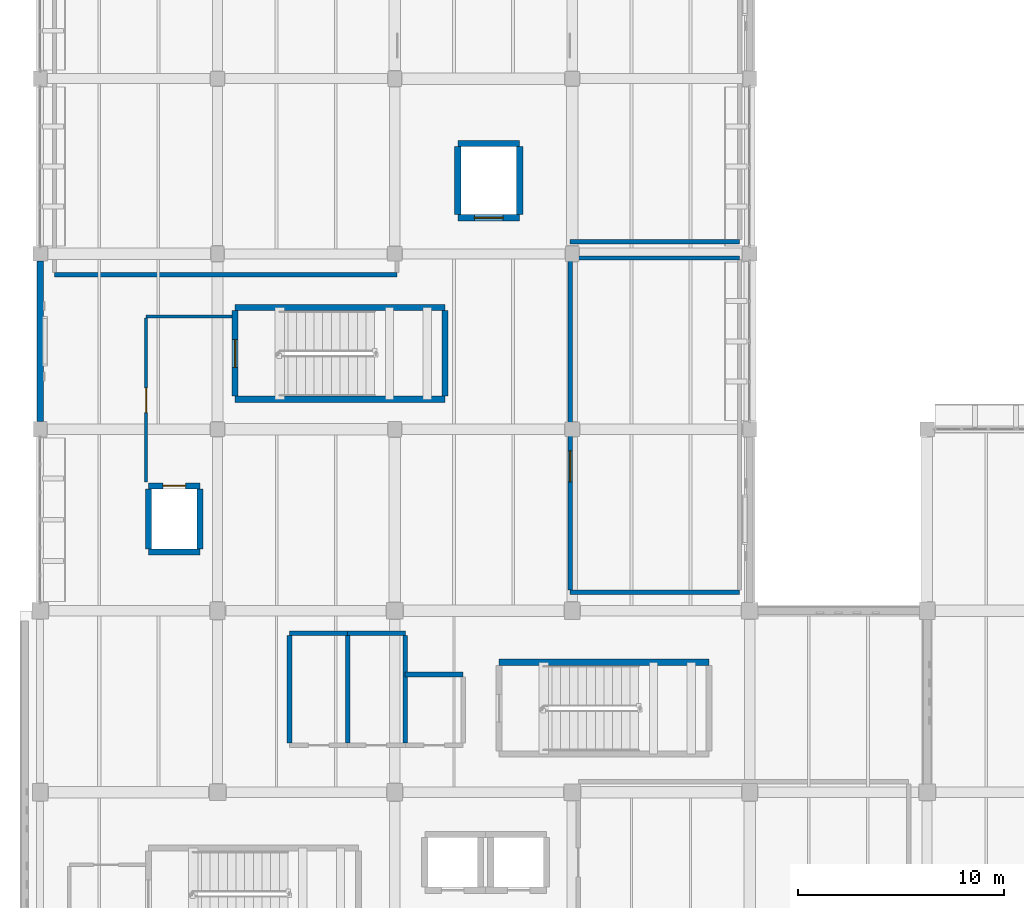
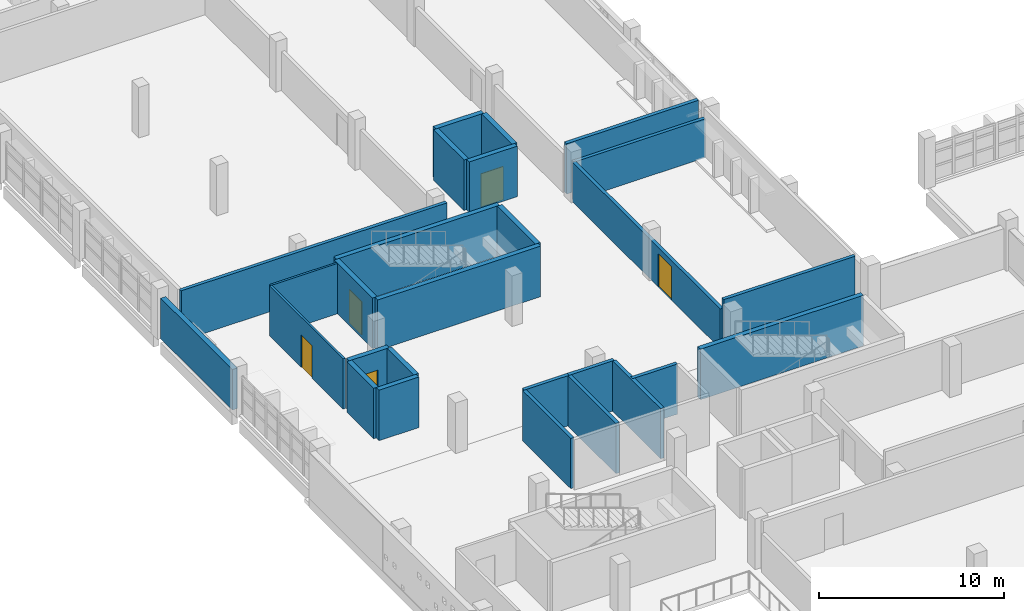
# One storey, part 59 of 75: 27 walls, 5 doors, 5 openings.
"""IFC4 building model written with IfcOpenShell, lengths in metres."""

from ifc_helpers import new_model, si_unit, direction, frame, frame_2d, origin, place, context, subcontext, project, spatial, rectangle, extrude, material, layer, layer_set, type_object, element, fill, save


model = new_model("IFC4")

# Units and contexts
model_context = context("Model", 3, precision=1e-05, world=origin(), true_north=direction((0.0, 1.0)))
body_context = subcontext(model_context, "Body", "Model", "MODEL_VIEW")
ifc_project = project(units=[si_unit("LENGTHUNIT", "METRE"), si_unit("AREAUNIT", "SQUARE_METRE"), si_unit("VOLUMEUNIT", "CUBIC_METRE"), si_unit("PLANEANGLEUNIT", "RADIAN"), si_unit("MASSUNIT", "GRAM", prefix="KILO")], contexts=[model_context])

# Site, building, storey
site_placement = place(None, origin())
site = spatial("IfcSite", under=ifc_project, at=site_placement, CompositionType="ELEMENT")
building_placement = place(site_placement, origin())
building = spatial("IfcBuilding", under=site, at=building_placement, Name="Varnakota Cinema and Media Centre", CompositionType="ELEMENT")
storey_placement = place(building_placement, frame((0.0, 0.0, 8.39990234375)))
storey = spatial("IfcBuildingStorey", under=building, at=storey_placement, Name="L02", CompositionType="ELEMENT", Elevation=8.39990234375)

# Wall
ifc_material_1 = material(Name="Autoclaved aerated concrete blockwork", Category="masonry")
ifc_layer_1 = layer(ifc_material_1, 0.2099609375)
ifc_layer_set_1 = layer_set([ifc_layer_1], Name="Autoclaved aerated concrete blockwork")
wall_type_1 = type_object("IfcWallType", Name="W-ACOUST-210", PredefinedType="PARTITIONING", material=ifc_layer_set_1)
wall_1_placement = place(storey_placement, frame((33.905029296875, 36.094970703125, 0.0), z_axis=(0.0, 0.0, 1.0), x_axis=(-1.0, 0.0, 0.0)))
element("IfcWall", 1, at=wall_1_placement, inside=storey, type_object=wall_type_1, Name="L02 RWALL-RM-L02-NEWS1 S wall", PredefinedType="PARTITIONING", context=body_context, shape_type="SweptSolid", body=[
    extrude(rectangle(XDim=8.2099609375, YDim=0.2099609375, at=frame_2d((4.10498046875, 0.0))), origin(), (0.0, 0.0, 1.0), 3.320068359375),
])

# Wall, opening, door
wall_2_placement = place(storey_placement, frame((25.695068359375, 36.199951171875, 0.0), z_axis=(0.0, 0.0, 1.0), x_axis=(0.0, 1.0, 0.0)))
wall_2 = element("IfcWall", 2, at=wall_2_placement, inside=storey, type_object=wall_type_1, Name="L02 RWALL-RM-L02-NEWS1 W wall", PredefinedType="PARTITIONING", context=body_context, shape_type="SweptSolid", body=[
    extrude(rectangle(XDim=16.0, YDim=0.2099609375, at=frame_2d((8.0, 0.0))), origin(), (0.0, 0.0, 1.0), 2.6201171875),
])
opening_1_placement = place(wall_2_placement, frame((5.25, 0.0, 0.0)))
opening_1 = element("IfcOpeningElement", 3, at=opening_1_placement, cuts=wall_2, Name="Opening D-082", PredefinedType="OPENING", context=body_context, shape_type="SweptSolid", body=[
    extrude(rectangle(XDim=1.5, YDim=2.199951171875, at=frame_2d((0.75, 1.10009765625))), frame((0.0, 0.10498046875, 0.0), z_axis=(0.0, -1.0, 0.0), x_axis=(1.0, 0.0, 0.0)), (0.0, 0.0, 1.0), 0.2099609375),
])
ifc_material_2 = material(Name="Thermally broken anodised aluminium AW-6063", Category="aluminium")
door_type_1 = type_object("IfcDoorType", Name="DR-STD-1500x2200", OperationType="DOUBLE_DOOR_SINGLE_SWING", PredefinedType="DOOR", material=ifc_material_2)
door_1_placement = place(opening_1_placement, origin())
door_1 = element("IfcDoor", 4, at=door_1_placement, inside=storey, type_object=door_type_1, Name="L02 door D-082", OperationType="DOUBLE_DOOR_SINGLE_SWING", OverallHeight=2.199951171875, OverallWidth=1.5, PredefinedType="DOOR", context=body_context, shape_type="SweptSolid", body=[
    extrude(rectangle(XDim=1.5, YDim=2.199951171875, at=frame_2d((0.75, 1.10009765625))), frame((0.0, 0.02490234375, 0.0), z_axis=(0.0, -1.0, 0.0), x_axis=(1.0, 0.0, 0.0)), (0.0, 0.0, 1.0), 0.050048828125),
])
fill(opening_1, door_1)

# Walls
wall_3_placement = place(storey_placement, frame((25.695068359375, 52.304931640625, 0.0), z_axis=(0.0, 0.0, 1.0), x_axis=(1.0, 0.0, 0.0)))
element("IfcWall", 5, at=wall_3_placement, inside=storey, type_object=wall_type_1, Name="L02 RWALL-RM-L02-NEWS1 N wall", PredefinedType="PARTITIONING", context=body_context, shape_type="SweptSolid", body=[
    extrude(rectangle(XDim=8.2099609375, YDim=0.2099609375, at=frame_2d((4.10498046875, 0.0))), origin(), (0.0, 0.0, 1.0), 2.570068359375),
])
wall_4_placement = place(storey_placement, frame((17.304931640625, 51.4951171875, 0.0), z_axis=(0.0, 0.0, 1.0), x_axis=(-1.0, 0.0, 0.0)))
element("IfcWall", 6, at=wall_4_placement, inside=storey, type_object=wall_type_1, Name="L02 RWALL-RM-L02-RADIO S wall", PredefinedType="PARTITIONING", context=body_context, shape_type="SweptSolid", body=[
    extrude(rectangle(XDim=16.60986328125, YDim=0.2099609375, at=frame_2d((8.304931640625, 0.0))), origin(), (0.0, 0.0, 1.0), 3.320068359375),
])
ifc_material_3 = material(Name="Autoclaved aerated concrete blockwork", Category="masonry")
ifc_layer_2 = layer(ifc_material_3, 0.22998046875)
ifc_layer_set_2 = layer_set([ifc_layer_2], Name="Autoclaved aerated concrete blockwork")
wall_type_2 = type_object("IfcWallType", Name="W-BOX-230", PredefinedType="PARTITIONING", material=ifc_layer_set_2)
wall_5_placement = place(storey_placement, frame((33.9150390625, 53.0849609375, 0.0), z_axis=(0.0, 0.0, 1.0), x_axis=(-1.0, 0.0, 0.0)))
element("IfcWall", 7, at=wall_5_placement, inside=storey, type_object=wall_type_2, Name="L02 RWALL-RM-L02-POD2 S wall", PredefinedType="PARTITIONING", context=body_context, shape_type="SweptSolid", body=[
    extrude(rectangle(XDim=8.22998046875, YDim=0.22998046875, at=frame_2d((4.114990234375, 0.0))), origin(), (0.0, 0.0, 1.0), 3.320068359375),
])
ifc_material_4 = material(Name="Concrete M40", Category="concrete")
ifc_layer_3 = layer(ifc_material_4, 0.300048828125)
ifc_layer_set_3 = layer_set([ifc_layer_3], Name="Concrete M40")
wall_type_3 = type_object("IfcWallType", Name="W-CORE-300", PredefinedType="SHEAR", material=ifc_layer_set_3)
for number, where, z_axis, x_axis, name in (
    (8, (22.25, 32.699951171875, 0.0), (0.0, 0.0, 1.0), (1.0, 0.0, 0.0), "L02 CWALL-ST-02-L02 N wall"),
    (9, (19.6298828125, 45.449951171875, 0.0), (0.0, 0.0, 1.0), (-1.0, 0.0, 0.0), "L02 CWALL-ST-03-L02 S wall"),
):
    element("IfcWall", number, at=place(storey_placement, frame(where, z_axis=z_axis, x_axis=x_axis)), inside=storey, type_object=wall_type_3, Name=name, PredefinedType="SHEAR", context=body_context, shape_type="SweptSolid", body=[
        extrude(rectangle(XDim=10.179931640625, YDim=0.300048828125, at=frame_2d((5.08984375, 0.0))), origin(), (0.0, 0.0, 1.0), 3.340087890625),
    ])

# Wall, opening, door
wall_6_placement = place(storey_placement, frame((9.449951171875, 45.60009765625, 0.0), z_axis=(0.0, 0.0, 1.0), x_axis=(0.0, 1.0, 0.0)))
wall_6 = element("IfcWall", 10, at=wall_6_placement, inside=storey, type_object=wall_type_3, Name="L02 CWALL-ST-03-L02 W wall", PredefinedType="SHEAR", context=body_context, shape_type="SweptSolid", body=[
    extrude(rectangle(XDim=4.14990234375, YDim=0.300048828125, at=frame_2d((2.074951171875, 0.0))), origin(), (0.0, 0.0, 1.0), 3.340087890625),
])
opening_2_placement = place(wall_6_placement, frame((1.39990234375, 0.0, 0.0)))
opening_2 = element("IfcOpeningElement", 11, at=opening_2_placement, cuts=wall_6, Name="Opening SD-03", PredefinedType="OPENING", context=body_context, shape_type="SweptSolid", body=[
    extrude(rectangle(XDim=1.35009765625, YDim=2.199951171875, at=frame_2d((0.675048828125, 1.10009765625))), frame((0.0, 0.14990234375, 0.0), z_axis=(0.0, -1.0, 0.0), x_axis=(1.0, 0.0, 0.0)), (0.0, 0.0, 1.0), 0.300048828125),
])
ifc_material_5 = material(Name="Thermally broken anodised aluminium AW-6063", Category="aluminium")
door_type_2 = type_object("IfcDoorType", Name="DR-STAIR-1350x2200", OperationType="NOTDEFINED", PredefinedType="DOOR", material=ifc_material_5)
door_2_placement = place(opening_2_placement, origin())
door_2 = element("IfcDoor", 12, at=door_2_placement, inside=storey, type_object=door_type_2, Name="L02 door SD-03", OperationType="SINGLE_SWING_LEFT", OverallHeight=2.199951171875, OverallWidth=1.35009765625, PredefinedType="DOOR", context=body_context, shape_type="SweptSolid", body=[
    extrude(rectangle(XDim=1.35009765625, YDim=2.199951171875, at=frame_2d((0.675048828125, 1.10009765625))), frame((0.0, 0.02490234375, 0.0), z_axis=(0.0, -1.0, 0.0), x_axis=(1.0, 0.0, 0.0)), (0.0, 0.0, 1.0), 0.050048828125),
])
fill(opening_2, door_2)

# Walls
wall_7_placement = place(storey_placement, frame((9.449951171875, 49.89990234375, 0.0), z_axis=(0.0, 0.0, 1.0), x_axis=(1.0, 0.0, 0.0)))
element("IfcWall", 13, at=wall_7_placement, inside=storey, type_object=wall_type_3, Name="L02 CWALL-ST-03-L02 N wall", PredefinedType="SHEAR", context=body_context, shape_type="SweptSolid", body=[
    extrude(rectangle(XDim=10.179931640625, YDim=0.300048828125, at=frame_2d((5.08984375, 0.0))), origin(), (0.0, 0.0, 1.0), 3.340087890625),
])
wall_8_placement = place(storey_placement, frame((19.6298828125, 49.75, 0.0), z_axis=(0.0, 0.0, 1.0), x_axis=(0.0, -1.0, 0.0)))
element("IfcWall", 14, at=wall_8_placement, inside=storey, type_object=wall_type_3, Name="L02 CWALL-ST-03-L02 E wall", PredefinedType="SHEAR", context=body_context, shape_type="SweptSolid", body=[
    extrude(rectangle(XDim=4.14990234375, YDim=0.300048828125, at=frame_2d((2.074951171875, 0.0))), origin(), (0.0, 0.0, 1.0), 3.340087890625),
])
wall_9_placement = place(storey_placement, frame((7.75, 38.050048828125, 0.0), z_axis=(0.0, 0.0, 1.0), x_axis=(-1.0, 0.0, 0.0)))
element("IfcWall", 15, at=wall_9_placement, inside=storey, type_object=wall_type_3, Name="L02 LSHAFT-LF-02-L02 S wall", PredefinedType="SHEAR", context=body_context, shape_type="SweptSolid", body=[
    extrude(rectangle(XDim=2.5, YDim=0.300048828125, at=frame_2d((1.25, 0.0))), origin(), (0.0, 0.0, 1.0), 3.340087890625),
])
wall_10_placement = place(storey_placement, frame((5.25, 38.199951171875, 0.0), z_axis=(0.0, 0.0, 1.0), x_axis=(0.0, 1.0, 0.0)))
element("IfcWall", 16, at=wall_10_placement, inside=storey, type_object=wall_type_3, Name="L02 LSHAFT-LF-02-L02 W wall", PredefinedType="SHEAR", context=body_context, shape_type="SweptSolid", body=[
    extrude(rectangle(XDim=2.900146484375, YDim=0.300048828125, at=frame_2d((1.4501953125, 0.0))), origin(), (0.0, 0.0, 1.0), 3.340087890625),
])

# Wall, opening, door
wall_11_placement = place(storey_placement, frame((5.25, 41.25, 0.0), z_axis=(0.0, 0.0, 1.0), x_axis=(1.0, 0.0, 0.0)))
wall_11 = element("IfcWall", 17, at=wall_11_placement, inside=storey, type_object=wall_type_3, Name="L02 LSHAFT-LF-02-L02 N wall", PredefinedType="SHEAR", context=body_context, shape_type="SweptSolid", body=[
    extrude(rectangle(XDim=2.5, YDim=0.300048828125, at=frame_2d((1.25, 0.0))), origin(), (0.0, 0.0, 1.0), 3.340087890625),
])
opening_3_placement = place(wall_11_placement, frame((0.699951171875, 0.0, 0.0)))
opening_3 = element("IfcOpeningElement", 18, at=opening_3_placement, cuts=wall_11, Name="Opening LD-02", PredefinedType="OPENING", context=body_context, shape_type="SweptSolid", body=[
    extrude(rectangle(XDim=1.10009765625, YDim=2.10009765625, at=frame_2d((0.550048828125, 1.050048828125))), frame((0.0, 0.14990234375, 0.0), z_axis=(0.0, -1.0, 0.0), x_axis=(1.0, 0.0, 0.0)), (0.0, 0.0, 1.0), 0.300048828125),
])
ifc_material_6 = material(Name="Thermally broken anodised aluminium AW-6063", Category="aluminium")
door_type_3 = type_object("IfcDoorType", Name="DR-LIFT-1100x2100", OperationType="SLIDING_TO_LEFT", PredefinedType="DOOR", material=ifc_material_6)
door_3_placement = place(opening_3_placement, origin())
door_3 = element("IfcDoor", 19, at=door_3_placement, inside=storey, type_object=door_type_3, Name="L02 door LD-02", OperationType="SLIDING_TO_LEFT", OverallHeight=2.10009765625, OverallWidth=1.10009765625, PredefinedType="DOOR", context=body_context, shape_type="SweptSolid", body=[
    extrude(rectangle(XDim=1.10009765625, YDim=2.10009765625, at=frame_2d((0.550048828125, 1.050048828125))), frame((0.0, 0.02490234375, 0.0), z_axis=(0.0, -1.0, 0.0), x_axis=(1.0, 0.0, 0.0)), (0.0, 0.0, 1.0), 0.050048828125),
])
fill(opening_3, door_3)

# Wall
wall_12_placement = place(storey_placement, frame((7.75, 41.10009765625, 0.0), z_axis=(0.0, 0.0, 1.0), x_axis=(0.0, -1.0, 0.0)))
element("IfcWall", 20, at=wall_12_placement, inside=storey, type_object=wall_type_3, Name="L02 LSHAFT-LF-02-L02 E wall", PredefinedType="SHEAR", context=body_context, shape_type="SweptSolid", body=[
    extrude(rectangle(XDim=2.900146484375, YDim=0.300048828125, at=frame_2d((1.4501953125, 0.0))), origin(), (0.0, 0.0, 1.0), 3.340087890625),
])

# Wall, opening, door
wall_13_placement = place(storey_placement, frame((23.25, 54.25, 0.0), z_axis=(0.0, 0.0, 1.0), x_axis=(-1.0, 0.0, 0.0)))
wall_13 = element("IfcWall", 21, at=wall_13_placement, inside=storey, type_object=wall_type_3, Name="L02 LSHAFT-LF-07-L02 S wall", PredefinedType="SHEAR", context=body_context, shape_type="SweptSolid", body=[
    extrude(rectangle(XDim=3.0, YDim=0.300048828125, at=frame_2d((1.5, 0.0))), origin(), (0.0, 0.0, 1.0), 3.340087890625),
])
opening_4_placement = place(wall_13_placement, frame((0.800048828125, 0.0, 0.0)))
opening_4 = element("IfcOpeningElement", 22, at=opening_4_placement, cuts=wall_13, Name="Opening LD-07", PredefinedType="OPENING", context=body_context, shape_type="SweptSolid", body=[
    extrude(rectangle(XDim=1.39990234375, YDim=2.199951171875, at=frame_2d((0.699951171875, 1.10009765625))), frame((0.0, 0.14990234375, 0.0), z_axis=(0.0, -1.0, 0.0), x_axis=(1.0, 0.0, 0.0)), (0.0, 0.0, 1.0), 0.300048828125),
])
ifc_material_7 = material(Name="Thermally broken anodised aluminium AW-6063", Category="aluminium")
door_type_4 = type_object("IfcDoorType", Name="DR-LIFT-1400x2200", OperationType="DOUBLE_DOOR_SLIDING", PredefinedType="DOOR", material=ifc_material_7)
door_4_placement = place(opening_4_placement, origin())
door_4 = element("IfcDoor", 23, at=door_4_placement, inside=storey, type_object=door_type_4, Name="L02 door LD-07", OperationType="DOUBLE_DOOR_SLIDING", OverallHeight=2.199951171875, OverallWidth=1.39990234375, PredefinedType="DOOR", context=body_context, shape_type="SweptSolid", body=[
    extrude(rectangle(XDim=1.39990234375, YDim=2.199951171875, at=frame_2d((0.699951171875, 1.10009765625))), frame((0.0, 0.02490234375, 0.0), z_axis=(0.0, -1.0, 0.0), x_axis=(1.0, 0.0, 0.0)), (0.0, 0.0, 1.0), 0.050048828125),
])
fill(opening_4, door_4)

# Walls
wall_14_placement = place(storey_placement, frame((20.25, 54.39990234375, 0.0), z_axis=(0.0, 0.0, 1.0), x_axis=(0.0, 1.0, 0.0)))
element("IfcWall", 24, at=wall_14_placement, inside=storey, type_object=wall_type_3, Name="L02 LSHAFT-LF-07-L02 W wall", PredefinedType="SHEAR", context=body_context, shape_type="SweptSolid", body=[
    extrude(rectangle(XDim=3.300048828125, YDim=0.300048828125, at=frame_2d((1.64990234375, 0.0))), origin(), (0.0, 0.0, 1.0), 3.340087890625),
])
wall_15_placement = place(storey_placement, frame((20.25, 57.85009765625, 0.0), z_axis=(0.0, 0.0, 1.0), x_axis=(1.0, 0.0, 0.0)))
element("IfcWall", 25, at=wall_15_placement, inside=storey, type_object=wall_type_3, Name="L02 LSHAFT-LF-07-L02 N wall", PredefinedType="SHEAR", context=body_context, shape_type="SweptSolid", body=[
    extrude(rectangle(XDim=3.0, YDim=0.300048828125, at=frame_2d((1.5, 0.0))), origin(), (0.0, 0.0, 1.0), 3.340087890625),
])
wall_16_placement = place(storey_placement, frame((23.25, 57.699951171875, 0.0), z_axis=(0.0, 0.0, 1.0), x_axis=(0.0, -1.0, 0.0)))
element("IfcWall", 26, at=wall_16_placement, inside=storey, type_object=wall_type_3, Name="L02 LSHAFT-LF-07-L02 E wall", PredefinedType="SHEAR", context=body_context, shape_type="SweptSolid", body=[
    extrude(rectangle(XDim=3.300048828125, YDim=0.300048828125, at=frame_2d((1.64990234375, 0.0))), origin(), (0.0, 0.0, 1.0), 3.340087890625),
])
ifc_material_8 = material(Name="Deccan grey granite ashlar", Category="masonry")
ifc_layer_4 = layer(ifc_material_8, 0.320068359375)
ifc_layer_set_4 = layer_set([ifc_layer_4], Name="Deccan grey granite ashlar")
wall_type_4 = type_object("IfcWallType", Name="W-EXT-GRAN-320", PredefinedType="SOLIDWALL", material=ifc_layer_set_4)
wall_17_placement = place(storey_placement, frame((0.0, 52.14990234375, 0.0), z_axis=(0.0, 0.0, 1.0), x_axis=(0.0, -1.0, 0.0)))
element("IfcWall", 27, at=wall_17_placement, inside=storey, type_object=wall_type_4, Name="L02 exterior wall V5-W-4", PredefinedType="SOLIDWALL", context=body_context, shape_type="SweptSolid", body=[
    extrude(rectangle(XDim=7.77490234375, YDim=0.320068359375, at=frame_2d((3.887451171875, 0.0))), origin(), (0.0, 0.0, 1.0), 2.675048828125),
])

# Wall, opening, door
ifc_material_9 = material(Name="Autoclaved aerated concrete blockwork", Category="masonry")
ifc_layer_5 = layer(ifc_material_9, 0.1298828125)
ifc_layer_set_5 = layer_set([ifc_layer_5], Name="Autoclaved aerated concrete blockwork")
wall_type_5 = type_object("IfcWallType", Name="W-PART-130", PredefinedType="PARTITIONING", material=ifc_layer_set_5)
wall_18_placement = place(storey_placement, frame((5.135009765625, 41.449951171875, 0.0), z_axis=(0.0, 0.0, 1.0), x_axis=(0.0, 1.0, 0.0)))
wall_18 = element("IfcWall", 28, at=wall_18_placement, inside=storey, type_object=wall_type_5, Name="L02 RWALL-RM-L02-FF-2 W wall", PredefinedType="PARTITIONING", context=body_context, shape_type="SweptSolid", body=[
    extrude(rectangle(XDim=7.949951171875, YDim=0.1298828125, at=frame_2d((3.97509765625, 0.0))), origin(), (0.0, 0.0, 1.0), 3.320068359375),
])
opening_5_placement = place(wall_18_placement, frame((3.35009765625, 0.0, 0.0)))
opening_5 = element("IfcOpeningElement", 29, at=opening_5_placement, cuts=wall_18, Name="Opening D-013", PredefinedType="OPENING", context=body_context, shape_type="SweptSolid", body=[
    extrude(rectangle(XDim=1.199951171875, YDim=2.14990234375, at=frame_2d((0.60009765625, 1.074951171875))), frame((0.0, 0.06494140625, 0.0), z_axis=(0.0, -1.0, 0.0), x_axis=(1.0, 0.0, 0.0)), (0.0, 0.0, 1.0), 0.1298828125),
])
ifc_material_10 = material(Name="Thermally broken anodised aluminium AW-6063", Category="aluminium")
door_type_5 = type_object("IfcDoorType", Name="DR-STD-1200x2150", OperationType="NOTDEFINED", PredefinedType="DOOR", material=ifc_material_10)
door_5_placement = place(opening_5_placement, origin())
door_5 = element("IfcDoor", 30, at=door_5_placement, inside=storey, type_object=door_type_5, Name="L02 door D-013", OperationType="SINGLE_SWING_LEFT", OverallHeight=2.14990234375, OverallWidth=1.199951171875, PredefinedType="DOOR", context=body_context, shape_type="SweptSolid", body=[
    extrude(rectangle(XDim=1.199951171875, YDim=2.14990234375, at=frame_2d((0.60009765625, 1.074951171875))), frame((0.0, 0.02490234375, 0.0), z_axis=(0.0, -1.0, 0.0), x_axis=(1.0, 0.0, 0.0)), (0.0, 0.0, 1.0), 0.050048828125),
])
fill(opening_5, door_5)

# Walls
wall_19_placement = place(storey_placement, frame((5.135009765625, 49.465087890625, 0.0), z_axis=(0.0, 0.0, 1.0), x_axis=(1.0, 0.0, 0.0)))
element("IfcWall", 31, at=wall_19_placement, inside=storey, type_object=wall_type_5, Name="L02 RWALL-RM-L02-FF-2 N wall", PredefinedType="PARTITIONING", context=body_context, shape_type="SweptSolid", body=[
    extrude(rectangle(XDim=4.179931640625, YDim=0.1298828125, at=frame_2d((2.08984375, 0.0))), origin(), (0.0, 0.0, 1.0), 3.320068359375),
])
ifc_material_11 = material(Name="Autoclaved aerated concrete blockwork", Category="masonry")
ifc_layer_6 = layer(ifc_material_11, 0.219970703125)
ifc_layer_set_6 = layer_set([ifc_layer_6], Name="Autoclaved aerated concrete blockwork")
wall_type_6 = type_object("IfcWallType", Name="W-PLUMB-220", PredefinedType="PLUMBINGWALL", material=ifc_layer_set_6)
wall_20_placement = place(storey_placement, frame((12.090087890625, 28.800048828125, 0.0), z_axis=(0.0, 0.0, 1.0), x_axis=(0.0, 1.0, 0.0)))
element("IfcWall", 32, at=wall_20_placement, inside=storey, type_object=wall_type_6, Name="L02 RWALL-RM-L02-WCM W wall", PredefinedType="PLUMBINGWALL", context=body_context, shape_type="SweptSolid", body=[
    extrude(rectangle(XDim=5.199951171875, YDim=0.219970703125, at=frame_2d((2.60009765625, 0.0))), origin(), (0.0, 0.0, 1.0), 3.320068359375),
])
wall_21_placement = place(storey_placement, frame((12.090087890625, 34.110107421875, 0.0), z_axis=(0.0, 0.0, 1.0), x_axis=(1.0, 0.0, 0.0)))
element("IfcWall", 33, at=wall_21_placement, inside=storey, type_object=wall_type_6, Name="L02 RWALL-RM-L02-WCM N wall", PredefinedType="PLUMBINGWALL", context=body_context, shape_type="SweptSolid", body=[
    extrude(rectangle(XDim=2.81982421875, YDim=0.219970703125, at=frame_2d((1.409912109375, 0.0))), origin(), (0.0, 0.0, 1.0), 3.320068359375),
])
wall_22_placement = place(storey_placement, frame((14.909912109375, 34.0, 0.0), z_axis=(0.0, 0.0, 1.0), x_axis=(0.0, -1.0, 0.0)))
element("IfcWall", 34, at=wall_22_placement, inside=storey, type_object=wall_type_6, Name="L02 RWALL-RM-L02-WCM E wall", PredefinedType="PLUMBINGWALL", context=body_context, shape_type="SweptSolid", body=[
    extrude(rectangle(XDim=5.199951171875, YDim=0.219970703125, at=frame_2d((2.60009765625, 0.0))), origin(), (0.0, 0.0, 1.0), 3.320068359375),
])
wall_23_placement = place(storey_placement, frame((14.889892578125, 34.110107421875, 0.0), z_axis=(0.0, 0.0, 1.0), x_axis=(1.0, 0.0, 0.0)))
element("IfcWall", 35, at=wall_23_placement, inside=storey, type_object=wall_type_6, Name="L02 RWALL-RM-L02-WCF N wall", PredefinedType="PLUMBINGWALL", context=body_context, shape_type="SweptSolid", body=[
    extrude(rectangle(XDim=2.820068359375, YDim=0.219970703125, at=frame_2d((1.41015625, 0.0))), origin(), (0.0, 0.0, 1.0), 3.320068359375),
])
wall_24_placement = place(storey_placement, frame((17.7099609375, 34.0, 0.0), z_axis=(0.0, 0.0, 1.0), x_axis=(0.0, -1.0, 0.0)))
element("IfcWall", 36, at=wall_24_placement, inside=storey, type_object=wall_type_6, Name="L02 RWALL-RM-L02-WCF E wall", PredefinedType="PLUMBINGWALL", context=body_context, shape_type="SweptSolid", body=[
    extrude(rectangle(XDim=5.199951171875, YDim=0.219970703125, at=frame_2d((2.60009765625, 0.0))), origin(), (0.0, 0.0, 1.0), 3.320068359375),
])
wall_25_placement = place(storey_placement, frame((17.68994140625, 32.110107421875, 0.0), z_axis=(0.0, 0.0, 1.0), x_axis=(1.0, 0.0, 0.0)))
element("IfcWall", 37, at=wall_25_placement, inside=storey, type_object=wall_type_6, Name="L02 RWALL-RM-L02-WCA N wall", PredefinedType="PLUMBINGWALL", context=body_context, shape_type="SweptSolid", body=[
    extrude(rectangle(XDim=2.820068359375, YDim=0.219970703125, at=frame_2d((1.41015625, 0.0))), origin(), (0.0, 0.0, 1.0), 3.320068359375),
])

save(model, "model.ifc")
